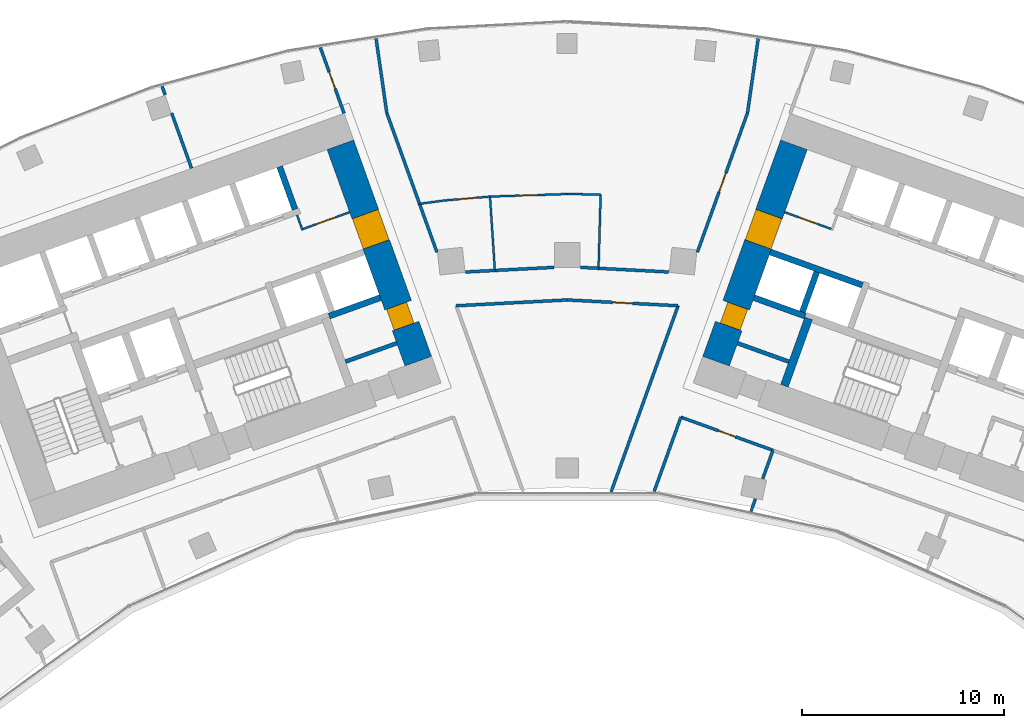
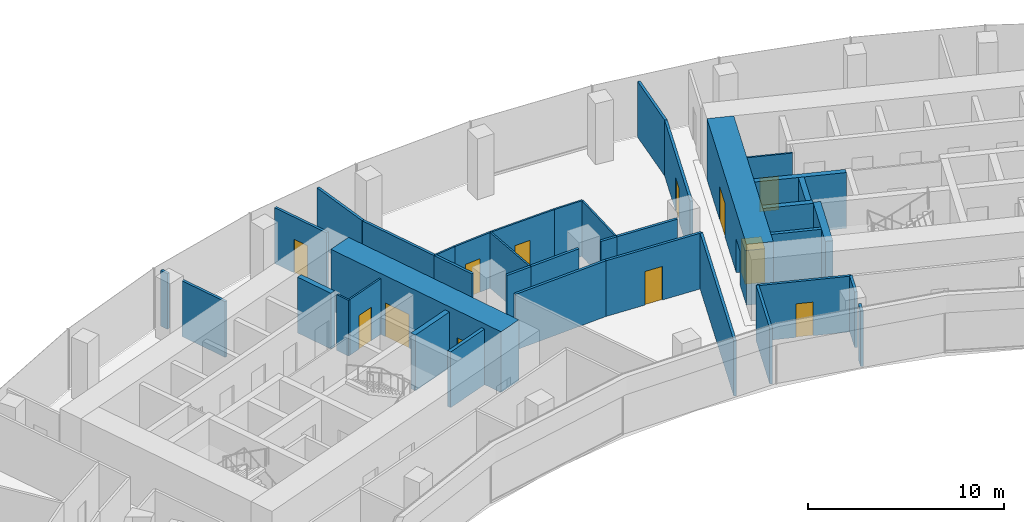
# One storey, part 15 of 20: 38 walls, 12 doors, 12 openings.
"""IFC4 building model written with IfcOpenShell, lengths in metres."""

from ifc_helpers import new_model, si_unit, direction, frame, frame_2d, origin, place, context, subcontext, project, spatial, rectangle, extrude, material, layer, layer_set, type_object, element, fill, save


model = new_model("IFC4")

# Units and contexts
model_context = context("Model", 3, precision=1e-05, world=origin(), true_north=direction((0.0, 1.0)))
body_context = subcontext(model_context, "Body", "Model", "MODEL_VIEW")
ifc_project = project(units=[si_unit("LENGTHUNIT", "METRE"), si_unit("AREAUNIT", "SQUARE_METRE"), si_unit("VOLUMEUNIT", "CUBIC_METRE"), si_unit("PLANEANGLEUNIT", "RADIAN"), si_unit("MASSUNIT", "GRAM", prefix="KILO")], contexts=[model_context])

# Site, building, storey
site_placement = place(None, origin())
site = spatial("IfcSite", under=ifc_project, at=site_placement, CompositionType="ELEMENT")
building_placement = place(site_placement, origin())
building = spatial("IfcBuilding", under=site, at=building_placement, Name="Stone Belt Terrace Tower", CompositionType="ELEMENT")
storey_placement = place(building_placement, frame((0.0, 0.0, 174.39990234375)))
storey = spatial("IfcBuildingStorey", under=building, at=storey_placement, Name="L42", CompositionType="ELEMENT", Elevation=174.39990234375)

# Wall
ifc_material_1 = material(Name="Plasterboard partition")
ifc_layer_1 = layer(ifc_material_1, 0.10009765625)
ifc_layer_set_1 = layer_set([ifc_layer_1], Name="Core partition 100")
wall_type_1 = type_object("IfcWallType", Name="Core partition 100", PredefinedType="PARTITIONING", material=ifc_layer_set_1)
wall_1_placement = place(storey_placement, frame((-13.115966796875, 56.230712890625, 0.0), z_axis=(0.0, 0.0, 1.0), x_axis=(-0.338481684961, 0.940972979923, 0.0)))
element("IfcWall", 1, at=wall_1_placement, inside=storey, type_object=wall_type_1, Name="Core A wall", PredefinedType="PARTITIONING", context=body_context, shape_type="SweptSolid", body=[
    extrude(rectangle(XDim=0.7998046875, YDim=0.10009765625, at=frame_2d((0.39990234375, 0.0))), origin(), (0.0, 0.0, 1.0), 3.47998046875),
])

# Wall, opening, door
wall_2_placement = place(storey_placement, frame((-13.085693359375, 56.294677734375, 0.0), z_axis=(0.0, 0.0, 1.0), x_axis=(0.940922976849, 0.338620660383, 0.0)))
wall_2 = element("IfcWall", 2, at=wall_2_placement, inside=storey, type_object=wall_type_1, Name="Core A wall", PredefinedType="PARTITIONING", context=body_context, shape_type="SweptSolid", body=[
    extrude(rectangle(XDim=2.449951171875, YDim=0.10009765625, at=frame_2d((1.22509765625, 0.0))), origin(), (0.0, 0.0, 1.0), 3.47998046875),
])
opening_1_placement = place(wall_2_placement, frame((0.699951171875, 0.0, 0.0)))
opening_1 = element("IfcOpeningElement", 3, at=opening_1_placement, cuts=wall_2, Name="Opening L42-C01", PredefinedType="OPENING", context=body_context, shape_type="SweptSolid", body=[
    extrude(rectangle(XDim=1.0, YDim=2.10009765625, at=frame_2d((0.5, 1.050048828125))), frame((0.0, 0.06005859375, 0.0), z_axis=(0.0, -1.0, 0.0), x_axis=(1.0, 0.0, 0.0)), (0.0, 0.0, 1.0), 0.1201171875),
])
ifc_material_2 = material(Name="Timber door leaf", Category="wood")
door_type_1 = type_object("IfcDoorType", Name="Core room door 1000", OperationType="SINGLE_SWING_LEFT", PredefinedType="DOOR", material=ifc_material_2)
door_1_placement = place(opening_1_placement, origin())
door_1 = element("IfcDoor", 4, at=door_1_placement, inside=storey, type_object=door_type_1, Name="Door to Meeting store core A", OperationType="SINGLE_SWING_LEFT", OverallHeight=2.10009765625, OverallWidth=1.0, PredefinedType="DOOR", context=body_context, shape_type="SweptSolid", body=[
    extrude(rectangle(XDim=1.0, YDim=2.10009765625, at=frame_2d((0.5, 1.050048828125))), frame((0.0, 0.02490234375, 0.0), z_axis=(0.0, -1.0, 0.0), x_axis=(1.0, 0.0, 0.0)), (0.0, 0.0, 1.0), 0.050048828125),
])
fill(opening_1, door_1)

wall_3_placement = place(storey_placement, frame((13.085693359375, 56.294677734375, 0.0), z_axis=(0.0, 0.0, 1.0), x_axis=(-0.940922976849, 0.338620660383, 0.0)))
wall_3 = element("IfcWall", 5, at=wall_3_placement, inside=storey, type_object=wall_type_1, Name="Core B wall", PredefinedType="PARTITIONING", context=body_context, shape_type="SweptSolid", body=[
    extrude(rectangle(XDim=2.449951171875, YDim=0.10009765625, at=frame_2d((1.22509765625, 0.0))), origin(), (0.0, 0.0, 1.0), 3.47998046875),
])
opening_2_placement = place(wall_3_placement, frame((0.699951171875, 0.0, 0.0)))
opening_2 = element("IfcOpeningElement", 6, at=opening_2_placement, cuts=wall_3, Name="Opening L42-C12", PredefinedType="OPENING", context=body_context, shape_type="SweptSolid", body=[
    extrude(rectangle(XDim=1.0, YDim=2.10009765625, at=frame_2d((0.5, 1.050048828125))), frame((0.0, 0.06005859375, 0.0), z_axis=(0.0, -1.0, 0.0), x_axis=(1.0, 0.0, 0.0)), (0.0, 0.0, 1.0), 0.1201171875),
])
door_2_placement = place(opening_2_placement, origin())
door_2 = element("IfcDoor", 7, at=door_2_placement, inside=storey, type_object=door_type_1, Name="Door to Meeting store core B", OperationType="SINGLE_SWING_RIGHT", OverallHeight=2.10009765625, OverallWidth=1.0, PredefinedType="DOOR", context=body_context, shape_type="SweptSolid", body=[
    extrude(rectangle(XDim=1.0, YDim=2.10009765625, at=frame_2d((0.5, 1.050048828125))), frame((0.0, 0.02490234375, 0.0), z_axis=(0.0, -1.0, 0.0), x_axis=(1.0, 0.0, 0.0)), (0.0, 0.0, 1.0), 0.050048828125),
])
fill(opening_2, door_2)

# Wall, openings, doors
ifc_material_3 = material(Name="Concrete B80", Category="concrete")
ifc_layer_2 = layer(ifc_material_3, 1.39990234375)
ifc_layer_set_2 = layer_set([ifc_layer_2], Name="Core wall 1400 B80")
wall_type_2 = type_object("IfcWallType", Name="Core wall 1400 B80", PredefinedType="SHEAR", material=ifc_layer_set_2)
wall_4_placement = place(storey_placement, frame((-7.379150390625, 49.73974609375, 0.0), z_axis=(0.0, 0.0, 1.0), x_axis=(-0.338625431531, 0.940921259788, 0.0)))
wall_4 = element("IfcWall", 8, at=wall_4_placement, inside=storey, type_object=wall_type_2, Name="Core A wall end_b L42", PredefinedType="SHEAR", context=body_context, shape_type="SweptSolid", body=[
    extrude(rectangle(XDim=11.400146484375, YDim=1.39990234375, at=frame_2d((5.7001953125, 0.0))), origin(), (0.0, 0.0, 1.0), 3.800048828125),
])
opening_3_placement = place(wall_4_placement, frame((6.14990234375, 0.0, 0.0)))
opening_3 = element("IfcOpeningElement", 9, at=opening_3_placement, cuts=wall_4, Name="Opening L42-C04", PredefinedType="OPENING", context=body_context, shape_type="SweptSolid", body=[
    extrude(rectangle(XDim=1.60009765625, YDim=2.10009765625, at=frame_2d((0.800048828125, 1.050048828125))), frame((0.0, 0.7099609375, 0.0), z_axis=(0.0, -1.0, 0.0), x_axis=(1.0, 0.0, 0.0)), (0.0, 0.0, 1.0), 1.419921875),
])
opening_4_placement = place(wall_4_placement, frame((1.85009765625, 0.0, 0.0)))
opening_4 = element("IfcOpeningElement", 10, at=opening_4_placement, cuts=wall_4, Name="Opening L42-C10", PredefinedType="OPENING", context=body_context, shape_type="SweptSolid", body=[
    extrude(rectangle(XDim=1.10009765625, YDim=2.10009765625, at=frame_2d((0.550048828125, 1.050048828125))), frame((0.0, 0.7099609375, 0.0), z_axis=(0.0, -1.0, 0.0), x_axis=(1.0, 0.0, 0.0)), (0.0, 0.0, 1.0), 1.419921875),
])
door_type_2 = type_object("IfcDoorType", Name="Core room door 1100", OperationType="SINGLE_SWING_LEFT", PredefinedType="DOOR", material=ifc_material_2)
door_3_placement = place(opening_4_placement, origin())
door_3 = element("IfcDoor", 11, at=door_3_placement, inside=storey, type_object=door_type_2, Name="Door to Accessible WC core A", OperationType="SINGLE_SWING_RIGHT", OverallHeight=2.10009765625, OverallWidth=1.10009765625, PredefinedType="DOOR", context=body_context, shape_type="SweptSolid", body=[
    extrude(rectangle(XDim=1.10009765625, YDim=2.10009765625, at=frame_2d((0.550048828125, 1.050048828125))), frame((0.0, 0.60498046875, 0.0), z_axis=(0.0, -1.0, 0.0), x_axis=(1.0, 0.0, 0.0)), (0.0, 0.0, 1.0), 1.050048828125),
])
fill(opening_4, door_3)
ifc_material_4 = material(Name="Glazed aluminium door leaf", Category="aluminium")
door_type_3 = type_object("IfcDoorType", Name="Lift lobby entrance door 1600", OperationType="DOUBLE_DOOR_SINGLE_SWING", PredefinedType="DOOR", material=ifc_material_4)
door_4_placement = place(opening_3_placement, origin())
door_4 = element("IfcDoor", 12, at=door_4_placement, inside=storey, type_object=door_type_3, Name="Lift lobby entrance door core A", OperationType="DOUBLE_DOOR_SINGLE_SWING", OverallHeight=2.10009765625, OverallWidth=1.60009765625, PredefinedType="DOOR", context=body_context, shape_type="SweptSolid", body=[
    extrude(rectangle(XDim=1.60009765625, YDim=2.10009765625, at=frame_2d((0.800048828125, 1.050048828125))), frame((0.0, 0.68017578125, 0.0), z_axis=(0.0, -1.0, 0.0), x_axis=(1.0, 0.0, 0.0)), (0.0, 0.0, 1.0), 1.360107421875),
])
fill(opening_3, door_4)

wall_5_placement = place(storey_placement, frame((7.379150390625, 49.73974609375, 0.0), z_axis=(0.0, 0.0, 1.0), x_axis=(0.338625431531, 0.940921259788, 0.0)))
wall_5 = element("IfcWall", 13, at=wall_5_placement, inside=storey, type_object=wall_type_2, Name="Core B wall end_a L42", PredefinedType="SHEAR", context=body_context, shape_type="SweptSolid", body=[
    extrude(rectangle(XDim=11.400146484375, YDim=1.39990234375, at=frame_2d((5.7001953125, 0.0))), origin(), (0.0, 0.0, 1.0), 3.800048828125),
])
opening_5_placement = place(wall_5_placement, frame((6.14990234375, 0.0, 0.0)))
opening_5 = element("IfcOpeningElement", 14, at=opening_5_placement, cuts=wall_5, Name="Opening L42-C15", PredefinedType="OPENING", context=body_context, shape_type="SweptSolid", body=[
    extrude(rectangle(XDim=1.60009765625, YDim=2.10009765625, at=frame_2d((0.800048828125, 1.050048828125))), frame((0.0, 0.7099609375, 0.0), z_axis=(0.0, -1.0, 0.0), x_axis=(1.0, 0.0, 0.0)), (0.0, 0.0, 1.0), 1.419921875),
])
opening_6_placement = place(wall_5_placement, frame((1.85009765625, 0.0, 0.0)))
opening_6 = element("IfcOpeningElement", 15, at=opening_6_placement, cuts=wall_5, Name="Opening L42-C21", PredefinedType="OPENING", context=body_context, shape_type="SweptSolid", body=[
    extrude(rectangle(XDim=1.10009765625, YDim=2.10009765625, at=frame_2d((0.550048828125, 1.050048828125))), frame((0.0, 0.7099609375, 0.0), z_axis=(0.0, -1.0, 0.0), x_axis=(1.0, 0.0, 0.0)), (0.0, 0.0, 1.0), 1.419921875),
])
door_5_placement = place(opening_6_placement, origin())
door_5 = element("IfcDoor", 16, at=door_5_placement, inside=storey, type_object=door_type_2, Name="Door to Accessible WC core B", OperationType="SINGLE_SWING_LEFT", OverallHeight=2.10009765625, OverallWidth=1.10009765625, PredefinedType="DOOR", context=body_context, shape_type="SweptSolid", body=[
    extrude(rectangle(XDim=1.10009765625, YDim=2.10009765625, at=frame_2d((0.550048828125, 1.050048828125))), frame((0.0, 0.44482421875, 0.0), z_axis=(0.0, -1.0, 0.0), x_axis=(1.0, 0.0, 0.0)), (0.0, 0.0, 1.0), 1.050048828125),
])
fill(opening_6, door_5)
door_6_placement = place(opening_5_placement, origin())
door_6 = element("IfcDoor", 17, at=door_6_placement, inside=storey, type_object=door_type_3, Name="Lift lobby entrance door core B", OperationType="DOUBLE_DOOR_SINGLE_SWING", OverallHeight=2.10009765625, OverallWidth=1.60009765625, PredefinedType="DOOR", context=body_context, shape_type="SweptSolid", body=[
    extrude(rectangle(XDim=1.60009765625, YDim=2.10009765625, at=frame_2d((0.800048828125, 1.050048828125))), frame((0.0, 0.68017578125, 0.0), z_axis=(0.0, -1.0, 0.0), x_axis=(1.0, 0.0, 0.0)), (0.0, 0.0, 1.0), 1.360107421875),
])
fill(opening_5, door_6)

# Walls
ifc_layer_3 = layer(ifc_material_3, 0.300048828125)
ifc_layer_set_3 = layer_set([ifc_layer_3], Name="Lift shaft wall 300")
wall_type_3 = type_object("IfcWallType", Name="Lift shaft wall 300", PredefinedType="SHEAR", material=ifc_layer_set_3)
wall_6_placement = place(storey_placement, frame((-11.797119140625, 51.975830078125, 0.0), z_axis=(0.0, 0.0, 1.0), x_axis=(0.940910465161, 0.33865542451, 0.0)))
element("IfcWall", 18, at=wall_6_placement, inside=storey, type_object=wall_type_3, Name="Core A wall", PredefinedType="SHEAR", context=body_context, shape_type="SweptSolid", body=[
    extrude(rectangle(XDim=2.69970703125, YDim=0.300048828125, at=frame_2d((1.349853515625, 0.0))), origin(), (0.0, 0.0, 1.0), 3.47998046875),
])
wall_7_placement = place(storey_placement, frame((-13.48828125, 57.265625, 0.0), z_axis=(0.0, 0.0, 1.0), x_axis=(-0.338631098537, 0.940919220286, 0.0)))
element("IfcWall", 19, at=wall_7_placement, inside=storey, type_object=wall_type_3, Name="Core A wall", PredefinedType="SHEAR", context=body_context, shape_type="SweptSolid", body=[
    extrude(rectangle(XDim=2.250244140625, YDim=0.300048828125, at=frame_2d((1.125, 0.0))), origin(), (0.0, 0.0, 1.0), 3.47998046875),
])
wall_8_placement = place(storey_placement, frame((14.6328125, 53.506103515625, 0.0), z_axis=(0.0, 0.0, 1.0), x_axis=(-0.940931684323, 0.338596464007, 0.0)))
element("IfcWall", 20, at=wall_8_placement, inside=storey, type_object=wall_type_3, Name="Core B wall", PredefinedType="SHEAR", context=body_context, shape_type="SweptSolid", body=[
    extrude(rectangle(XDim=4.849609375, YDim=0.300048828125, at=frame_2d((2.4248046875, 0.0))), origin(), (0.0, 0.0, 1.0), 3.47998046875),
])
wall_9_placement = place(storey_placement, frame((11.797119140625, 51.975830078125, 0.0), z_axis=(0.0, 0.0, 1.0), x_axis=(-0.940910465161, 0.33865542451, 0.0)))
element("IfcWall", 21, at=wall_9_placement, inside=storey, type_object=wall_type_3, Name="Core B wall", PredefinedType="SHEAR", context=body_context, shape_type="SweptSolid", body=[
    extrude(rectangle(XDim=2.69970703125, YDim=0.300048828125, at=frame_2d((1.349853515625, 0.0))), origin(), (0.0, 0.0, 1.0), 3.47998046875),
])
wall_10_placement = place(storey_placement, frame((11.659912109375, 52.184814453125, 0.0), z_axis=(0.0, 0.0, 1.0), x_axis=(0.338670064856, 0.940905195634, 0.0)))
element("IfcWall", 22, at=wall_10_placement, inside=storey, type_object=wall_type_3, Name="Core B wall", PredefinedType="SHEAR", context=body_context, shape_type="SweptSolid", body=[
    extrude(rectangle(XDim=2.099853515625, YDim=0.300048828125, at=frame_2d((1.0498046875, 0.0))), origin(), (0.0, 0.0, 1.0), 3.47998046875),
])

# Wall, opening, door
ifc_material_5 = material(Name="Gypsum board partition")
ifc_layer_4 = layer(ifc_material_5, 0.10009765625)
ifc_layer_set_4 = layer_set([ifc_layer_4], Name="PARTITION 100")
wall_type_4 = type_object("IfcWallType", Name="PARTITION 100", PredefinedType="PARTITIONING", material=ifc_layer_set_4)
wall_11_placement = place(storey_placement, frame((-3.823974609375, 57.89892578125, 0.0), z_axis=(0.0, 0.0, 1.0), x_axis=(-0.996353770626, -0.085318015439, 0.0)))
wall_11 = element("IfcWall", 23, at=wall_11_placement, inside=storey, type_object=wall_type_4, Name="L42/wall/i076", PredefinedType="PARTITIONING", context=body_context, shape_type="SweptSolid", body=[
    extrude(rectangle(XDim=2.249267578125, YDim=0.10009765625, at=frame_2d((1.12451171875, 0.0))), origin(), (0.0, 0.0, 1.0), 3.47998046875),
])
opening_7_placement = place(wall_11_placement, frame((0.674560546875, 0.0, 0.0)))
opening_7 = element("IfcOpeningElement", 24, at=opening_7_placement, cuts=wall_11, Name="Opening D-C3-25", PredefinedType="OPENING", context=body_context, shape_type="SweptSolid", body=[
    extrude(rectangle(XDim=0.89990234375, YDim=2.10009765625, at=frame_2d((0.449951171875, 1.050048828125))), frame((0.0, 0.06005859375, 0.0), z_axis=(0.0, -1.0, 0.0), x_axis=(1.0, 0.0, 0.0)), (0.0, 0.0, 1.0), 0.1201171875),
])
door_type_4 = type_object("IfcDoorType", Name="OFFICE DOOR 900 X 2100", OperationType="NOTDEFINED", PredefinedType="DOOR", material=ifc_material_2)
door_7_placement = place(opening_7_placement, origin())
door_7 = element("IfcDoor", 25, at=door_7_placement, inside=storey, type_object=door_type_4, Name="L42/door/i25", OperationType="SINGLE_SWING_RIGHT", OverallHeight=2.10009765625, OverallWidth=0.89990234375, PredefinedType="DOOR", context=body_context, shape_type="SweptSolid", body=[
    extrude(rectangle(XDim=0.89990234375, YDim=2.10009765625, at=frame_2d((0.449951171875, 1.050048828125))), frame((0.0, 0.02490234375, 0.0), z_axis=(0.0, -1.0, 0.0), x_axis=(1.0, 0.0, 0.0)), (0.0, 0.0, 1.0), 0.050048828125),
])
fill(opening_7, door_7)

# Walls
wall_12_placement = place(storey_placement, frame((-6.06494140625, 57.70703125, 0.0), z_axis=(0.0, 0.0, 1.0), x_axis=(-0.991238017123, -0.132087824608, 0.0)))
element("IfcWall", 26, at=wall_12_placement, inside=storey, type_object=wall_type_4, Name="L42/wall/i077", PredefinedType="PARTITIONING", context=body_context, shape_type="SweptSolid", body=[
    extrude(rectangle(XDim=1.26416015625, YDim=0.10009765625, at=frame_2d((0.632080078125, 0.0))), origin(), (0.0, 0.0, 1.0), 3.47998046875),
])
wall_13_placement = place(storey_placement, frame((1.555908203125, 54.343994140625, 0.0), z_axis=(0.0, 0.0, 1.0), x_axis=(0.028428321324, 0.999595833598, 0.0)))
element("IfcWall", 27, at=wall_13_placement, inside=storey, type_object=wall_type_4, Name="L42/wall/i078", PredefinedType="PARTITIONING", context=body_context, shape_type="SweptSolid", body=[
    extrude(rectangle(XDim=3.658447265625, YDim=0.10009765625, at=frame_2d((1.8291015625, 0.0))), origin(), (0.0, 0.0, 1.0), 3.47998046875),
])
wall_14_placement = place(storey_placement, frame((1.659912109375, 58.0009765625, 0.0), z_axis=(0.0, 0.0, 1.0), x_axis=(-0.999896136152, 0.014412387313, 0.0)))
element("IfcWall", 28, at=wall_14_placement, inside=storey, type_object=wall_type_4, Name="L42/wall/i079", PredefinedType="PARTITIONING", context=body_context, shape_type="SweptSolid", body=[
    extrude(rectangle(XDim=1.66015625, YDim=0.10009765625, at=frame_2d((0.830078125, 0.0))), origin(), (0.0, 0.0, 1.0), 3.47998046875),
])

# Wall, opening, door
wall_15_placement = place(storey_placement, frame((0.0, 58.02490234375, 0.0), z_axis=(0.0, 0.0, 1.0), x_axis=(-0.999457791673, -0.032926018036, 0.0)))
wall_15 = element("IfcWall", 29, at=wall_15_placement, inside=storey, type_object=wall_type_4, Name="L42/wall/i080", PredefinedType="PARTITIONING", context=body_context, shape_type="SweptSolid", body=[
    extrude(rectangle(XDim=3.825927734375, YDim=0.10009765625, at=frame_2d((1.9130859375, 0.0))), origin(), (0.0, 0.0, 1.0), 3.47998046875),
])
opening_8_placement = place(wall_15_placement, frame((1.463134765625, 0.0, 0.0)))
opening_8 = element("IfcOpeningElement", 30, at=opening_8_placement, cuts=wall_15, Name="Opening D-C3-26", PredefinedType="OPENING", context=body_context, shape_type="SweptSolid", body=[
    extrude(rectangle(XDim=0.89990234375, YDim=2.10009765625, at=frame_2d((0.449951171875, 1.050048828125))), frame((0.0, 0.06005859375, 0.0), z_axis=(0.0, -1.0, 0.0), x_axis=(1.0, 0.0, 0.0)), (0.0, 0.0, 1.0), 0.1201171875),
])
door_8_placement = place(opening_8_placement, origin())
door_8 = element("IfcDoor", 31, at=door_8_placement, inside=storey, type_object=door_type_4, Name="L42/door/i26", OperationType="SINGLE_SWING_RIGHT", OverallHeight=2.10009765625, OverallWidth=0.89990234375, PredefinedType="DOOR", context=body_context, shape_type="SweptSolid", body=[
    extrude(rectangle(XDim=0.89990234375, YDim=2.10009765625, at=frame_2d((0.449951171875, 1.050048828125))), frame((0.0, 0.02490234375, 0.0), z_axis=(0.0, -1.0, 0.0), x_axis=(1.0, 0.0, 0.0)), (0.0, 0.0, 1.0), 0.050048828125),
])
fill(opening_8, door_8)

# Wall
wall_16_placement = place(storey_placement, frame((-3.823974609375, 57.89892578125, 0.0), z_axis=(0.0, 0.0, 1.0), x_axis=(0.065927328972, -0.997824427089, 0.0)))
element("IfcWall", 32, at=wall_16_placement, inside=storey, type_object=wall_type_4, Name="L42/wall/i081", PredefinedType="PARTITIONING", context=body_context, shape_type="SweptSolid", body=[
    extrude(rectangle(XDim=3.669921875, YDim=0.10009765625, at=frame_2d((1.8349609375, 0.0))), origin(), (0.0, 0.0, 1.0), 3.47998046875),
])

# Wall, opening, door
ifc_layer_5 = layer(ifc_material_5, 0.14990234375)
ifc_layer_set_5 = layer_set([ifc_layer_5], Name="PARTITION 150 EI 60")
wall_type_5 = type_object("IfcWallType", Name="PARTITION 150 EI 60", PredefinedType="PARTITIONING", material=ifc_layer_set_5)
wall_17_placement = place(storey_placement, frame((-11.054931640625, 62.02099609375, 0.0), z_axis=(0.0, 0.0, 1.0), x_axis=(-0.338942963923, 0.940806923448, 0.0)))
wall_17 = element("IfcWall", 33, at=wall_17_placement, inside=storey, type_object=wall_type_5, Name="L42/wall/i009", PredefinedType="PARTITIONING", context=body_context, shape_type="SweptSolid", body=[
    extrude(rectangle(XDim=3.481201171875, YDim=0.14990234375, at=frame_2d((1.74072265625, 0.0))), origin(), (0.0, 0.0, 1.0), 3.47998046875),
])
opening_9_placement = place(wall_17_placement, frame((1.29052734375, 0.0, 0.0)))
opening_9 = element("IfcOpeningElement", 34, at=opening_9_placement, cuts=wall_17, Name="Opening D-C3-05", PredefinedType="OPENING", context=body_context, shape_type="SweptSolid", body=[
    extrude(rectangle(XDim=0.89990234375, YDim=2.10009765625, at=frame_2d((0.449951171875, 1.050048828125))), frame((0.0, 0.0849609375, 0.0), z_axis=(0.0, -1.0, 0.0), x_axis=(1.0, 0.0, 0.0)), (0.0, 0.0, 1.0), 0.169921875),
])
door_9_placement = place(opening_9_placement, origin())
door_9 = element("IfcDoor", 35, at=door_9_placement, inside=storey, type_object=door_type_4, Name="L42/door/i05", OperationType="SINGLE_SWING_RIGHT", OverallHeight=2.10009765625, OverallWidth=0.89990234375, PredefinedType="DOOR", context=body_context, shape_type="SweptSolid", body=[
    extrude(rectangle(XDim=0.89990234375, YDim=2.10009765625, at=frame_2d((0.449951171875, 1.050048828125))), frame((0.0, 0.02490234375, 0.0), z_axis=(0.0, -1.0, 0.0), x_axis=(1.0, 0.0, 0.0)), (0.0, 0.0, 1.0), 0.050048828125),
])
fill(opening_9, door_9)

# Walls
wall_18_placement = place(storey_placement, frame((-9.47021484375, 65.736083984375, 0.0), z_axis=(0.0, 0.0, 1.0), x_axis=(0.14267653425, -0.989769370396, 0.0)))
element("IfcWall", 36, at=wall_18_placement, inside=storey, type_object=wall_type_5, Name="L42/wall/i011", PredefinedType="PARTITIONING", context=body_context, shape_type="SweptSolid", body=[
    extrude(rectangle(XDim=3.730224609375, YDim=0.14990234375, at=frame_2d((1.865234375, 0.0))), origin(), (0.0, 0.0, 1.0), 3.47998046875),
])
wall_19_placement = place(storey_placement, frame((-8.93798828125, 62.04296875, 0.0), z_axis=(0.0, 0.0, 1.0), x_axis=(0.338681584055, -0.940901049326, 0.0)))
element("IfcWall", 37, at=wall_19_placement, inside=storey, type_object=wall_type_5, Name="L42/wall/i012", PredefinedType="PARTITIONING", context=body_context, shape_type="SweptSolid", body=[
    extrude(rectangle(XDim=4.792236328125, YDim=0.14990234375, at=frame_2d((2.39599609375, 0.0))), origin(), (0.0, 0.0, 1.0), 3.47998046875),
])
wall_20_placement = place(storey_placement, frame((-7.319091796875, 57.5458984375, 0.0), z_axis=(0.0, 0.0, 1.0), x_axis=(0.338411575899, -0.940998196224, 0.0)))
element("IfcWall", 38, at=wall_20_placement, inside=storey, type_object=wall_type_5, Name="L42/wall/i013", PredefinedType="PARTITIONING", context=body_context, shape_type="SweptSolid", body=[
    extrude(rectangle(XDim=2.555419921875, YDim=0.14990234375, at=frame_2d((1.27783203125, 0.0))), origin(), (0.0, 0.0, 1.0), 3.47998046875),
])
wall_21_placement = place(storey_placement, frame((-20.079833984375, 63.37109375, 0.0), z_axis=(0.0, 0.0, 1.0), x_axis=(0.338472917715, -0.940976133583, 0.0)))
element("IfcWall", 39, at=wall_21_placement, inside=storey, type_object=wall_type_5, Name="L42/wall/i019", PredefinedType="PARTITIONING", context=body_context, shape_type="SweptSolid", body=[
    extrude(rectangle(XDim=0.455810546875, YDim=0.14990234375, at=frame_2d((0.22802734375, 0.0))), origin(), (0.0, 0.0, 1.0), 3.47998046875),
])
wall_22_placement = place(storey_placement, frame((-19.599609375, 62.036376953125, 0.0), z_axis=(0.0, 0.0, 1.0), x_axis=(0.338579742178, -0.940937701544, 0.0)))
element("IfcWall", 40, at=wall_22_placement, inside=storey, type_object=wall_type_5, Name="L42/wall/i020", PredefinedType="PARTITIONING", context=body_context, shape_type="SweptSolid", body=[
    extrude(rectangle(XDim=2.908203125, YDim=0.14990234375, at=frame_2d((1.4541015625, 0.0))), origin(), (0.0, 0.0, 1.0), 3.47998046875),
])
wall_23_placement = place(storey_placement, frame((5.638916015625, 46.971923828125, 0.0), z_axis=(0.0, 0.0, 1.0), x_axis=(-0.338569683937, -0.940941320763, 0.0)))
element("IfcWall", 41, at=wall_23_placement, inside=storey, type_object=wall_type_5, Name="L42/wall/i021", PredefinedType="PARTITIONING", context=body_context, shape_type="SweptSolid", body=[
    extrude(rectangle(XDim=3.9248046875, YDim=0.14990234375, at=frame_2d((1.96240234375, 0.0))), origin(), (0.0, 0.0, 1.0), 3.47998046875),
])
wall_24_placement = place(storey_placement, frame((2.178466796875, 43.26171875, 0.0), z_axis=(0.0, 0.0, 1.0), x_axis=(0.338654259988, 0.940910884299, 0.0)))
element("IfcWall", 42, at=wall_24_placement, inside=storey, type_object=wall_type_5, Name="L42/wall/i023", PredefinedType="PARTITIONING", context=body_context, shape_type="SweptSolid", body=[
    extrude(rectangle(XDim=9.81103515625, YDim=0.14990234375, at=frame_2d((4.905517578125, 0.0))), origin(), (0.0, 0.0, 1.0), 3.47998046875),
])

# Wall, opening, door
wall_25_placement = place(storey_placement, frame((6.4541015625, 55.140625, 0.0), z_axis=(0.0, 0.0, 1.0), x_axis=(0.338603971116, 0.940928982838, 0.0)))
wall_25 = element("IfcWall", 43, at=wall_25_placement, inside=storey, type_object=wall_type_5, Name="L42/wall/i024", PredefinedType="PARTITIONING", context=body_context, shape_type="SweptSolid", body=[
    extrude(rectangle(XDim=7.335693359375, YDim=0.14990234375, at=frame_2d((3.66796875, 0.0))), origin(), (0.0, 0.0, 1.0), 3.47998046875),
])
opening_10_placement = place(wall_25_placement, frame((3.16796875, 0.0, 0.0)))
opening_10 = element("IfcOpeningElement", 44, at=opening_10_placement, cuts=wall_25, Name="Opening D-C3-24", PredefinedType="OPENING", context=body_context, shape_type="SweptSolid", body=[
    extrude(rectangle(XDim=1.0, YDim=2.10009765625, at=frame_2d((0.5, 1.050048828125))), frame((0.0, 0.0849609375, 0.0), z_axis=(0.0, -1.0, 0.0), x_axis=(1.0, 0.0, 0.0)), (0.0, 0.0, 1.0), 0.169921875),
])
ifc_material_6 = material(Name="Timber fire door leaf", Category="wood")
door_type_5 = type_object("IfcDoorType", Name="TENANCY ENTRANCE DOOR 1000 X 2100", OperationType="NOTDEFINED", PredefinedType="DOOR", material=ifc_material_6)
door_10_placement = place(opening_10_placement, origin())
door_10 = element("IfcDoor", 45, at=door_10_placement, inside=storey, type_object=door_type_5, Name="L42/door/i24", OperationType="SINGLE_SWING_RIGHT", OverallHeight=2.10009765625, OverallWidth=1.0, PredefinedType="DOOR", context=body_context, shape_type="SweptSolid", body=[
    extrude(rectangle(XDim=1.0, YDim=2.10009765625, at=frame_2d((0.5, 1.050048828125))), frame((0.0, 0.02490234375, 0.0), z_axis=(0.0, -1.0, 0.0), x_axis=(1.0, 0.0, 0.0)), (0.0, 0.0, 1.0), 0.050048828125),
])
fill(opening_10, door_10)

# Wall
wall_26_placement = place(storey_placement, frame((8.93798828125, 62.0439453125, 0.0), z_axis=(0.0, 0.0, 1.0), x_axis=(0.14267653425, 0.989769370396, 0.0)))
element("IfcWall", 46, at=wall_26_placement, inside=storey, type_object=wall_type_5, Name="L42/wall/i025", PredefinedType="PARTITIONING", context=body_context, shape_type="SweptSolid", body=[
    extrude(rectangle(XDim=3.730224609375, YDim=0.14990234375, at=frame_2d((1.865234375, 0.0))), origin(), (0.0, 0.0, 1.0), 3.47998046875),
])

# Wall, opening, door
wall_27_placement = place(storey_placement, frame((10.205078125, 45.322021484375, 0.0), z_axis=(0.0, 0.0, 1.0), x_axis=(-0.94091881935, 0.338632212575, 0.0)))
wall_27 = element("IfcWall", 47, at=wall_27_placement, inside=storey, type_object=wall_type_5, Name="L42/wall/i032", PredefinedType="PARTITIONING", context=body_context, shape_type="SweptSolid", body=[
    extrude(rectangle(XDim=4.85498046875, YDim=0.14990234375, at=frame_2d((2.427490234375, 0.0))), origin(), (0.0, 0.0, 1.0), 3.47998046875),
])
opening_11_placement = place(wall_27_placement, frame((1.977294921875, 0.0, 0.0)))
opening_11 = element("IfcOpeningElement", 48, at=opening_11_placement, cuts=wall_27, Name="Opening D-C3-06", PredefinedType="OPENING", context=body_context, shape_type="SweptSolid", body=[
    extrude(rectangle(XDim=0.89990234375, YDim=2.10009765625, at=frame_2d((0.449951171875, 1.050048828125))), frame((0.0, 0.0849609375, 0.0), z_axis=(0.0, -1.0, 0.0), x_axis=(1.0, 0.0, 0.0)), (0.0, 0.0, 1.0), 0.169921875),
])
door_11_placement = place(opening_11_placement, origin())
door_11 = element("IfcDoor", 49, at=door_11_placement, inside=storey, type_object=door_type_4, Name="L42/door/i06", OperationType="SINGLE_SWING_RIGHT", OverallHeight=2.10009765625, OverallWidth=0.89990234375, PredefinedType="DOOR", context=body_context, shape_type="SweptSolid", body=[
    extrude(rectangle(XDim=0.89990234375, YDim=2.10009765625, at=frame_2d((0.449951171875, 1.050048828125))), frame((0.0, 0.02490234375, 0.0), z_axis=(0.0, -1.0, 0.0), x_axis=(1.0, 0.0, 0.0)), (0.0, 0.0, 1.0), 0.050048828125),
])
fill(opening_11, door_11)

# Walls
wall_28_placement = place(storey_placement, frame((10.198974609375, 45.323974609375, 0.0), z_axis=(0.0, 0.0, 1.0), x_axis=(-0.338418266877, -0.940995789918, 0.0)))
element("IfcWall", 50, at=wall_28_placement, inside=storey, type_object=wall_type_5, Name="L42/wall/i035", PredefinedType="PARTITIONING", context=body_context, shape_type="SweptSolid", body=[
    extrude(rectangle(XDim=1.49267578125, YDim=0.14990234375, at=frame_2d((0.746337890625, 0.0))), origin(), (0.0, 0.0, 1.0), 3.47998046875),
])
wall_29_placement = place(storey_placement, frame((9.33154296875, 42.91259765625, 0.0), z_axis=(0.0, 0.0, 1.0), x_axis=(-0.338470305023, -0.940977073375, 0.0)))
element("IfcWall", 51, at=wall_29_placement, inside=storey, type_object=wall_type_5, Name="L42/wall/i036", PredefinedType="PARTITIONING", context=body_context, shape_type="SweptSolid", body=[
    extrude(rectangle(XDim=0.6591796875, YDim=0.14990234375, at=frame_2d((0.32958984375, 0.0))), origin(), (0.0, 0.0, 1.0), 3.47998046875),
])

# Wall, opening, door
wall_30_placement = place(storey_placement, frame((5.4990234375, 52.487060546875, 0.0), z_axis=(0.0, 0.0, 1.0), x_axis=(-0.998632852887, 0.052272604047, 0.0)))
wall_30 = element("IfcWall", 52, at=wall_30_placement, inside=storey, type_object=wall_type_5, Name="L42/wall/i070", PredefinedType="PARTITIONING", context=body_context, shape_type="SweptSolid", body=[
    extrude(rectangle(XDim=5.506591796875, YDim=0.14990234375, at=frame_2d((2.75341796875, 0.0))), origin(), (0.0, 0.0, 1.0), 3.47998046875),
])
opening_12_placement = place(wall_30_placement, frame((2.253173828125, 0.0, 0.0)))
opening_12 = element("IfcOpeningElement", 53, at=opening_12_placement, cuts=wall_30, Name="Opening D-C3-23", PredefinedType="OPENING", context=body_context, shape_type="SweptSolid", body=[
    extrude(rectangle(XDim=1.0, YDim=2.10009765625, at=frame_2d((0.5, 1.050048828125))), frame((0.0, 0.0849609375, 0.0), z_axis=(0.0, -1.0, 0.0), x_axis=(1.0, 0.0, 0.0)), (0.0, 0.0, 1.0), 0.169921875),
])
door_12_placement = place(opening_12_placement, origin())
door_12 = element("IfcDoor", 54, at=door_12_placement, inside=storey, type_object=door_type_5, Name="L42/door/i23", OperationType="SINGLE_SWING_RIGHT", OverallHeight=2.10009765625, OverallWidth=1.0, PredefinedType="DOOR", context=body_context, shape_type="SweptSolid", body=[
    extrude(rectangle(XDim=1.0, YDim=2.10009765625, at=frame_2d((0.5, 1.050048828125))), frame((0.0, 0.02490234375, 0.0), z_axis=(0.0, -1.0, 0.0), x_axis=(1.0, 0.0, 0.0)), (0.0, 0.0, 1.0), 0.050048828125),
])
fill(opening_12, door_12)

# Walls
wall_31_placement = place(storey_placement, frame((0.0, 52.77490234375, 0.0), z_axis=(0.0, 0.0, 1.0), x_axis=(-0.998632852887, -0.052272604047, 0.0)))
element("IfcWall", 55, at=wall_31_placement, inside=storey, type_object=wall_type_5, Name="L42/wall/i071", PredefinedType="PARTITIONING", context=body_context, shape_type="SweptSolid", body=[
    extrude(rectangle(XDim=5.506591796875, YDim=0.14990234375, at=frame_2d((2.75341796875, 0.0))), origin(), (0.0, 0.0, 1.0), 3.47998046875),
])
wall_32_placement = place(storey_placement, frame((1.550048828125, 54.343994140625, 0.0), z_axis=(0.0, 0.0, 1.0), x_axis=(0.998629019036, -0.052345795812, 0.0)))
element("IfcWall", 56, at=wall_32_placement, inside=storey, type_object=wall_type_5, Name="L42/wall/i072", PredefinedType="PARTITIONING", context=body_context, shape_type="SweptSolid", body=[
    extrude(rectangle(XDim=3.48876953125, YDim=0.14990234375, at=frame_2d((1.744384765625, 0.0))), origin(), (0.0, 0.0, 1.0), 3.47998046875),
])
wall_33_placement = place(storey_placement, frame((-5.033935546875, 54.161376953125, 0.0), z_axis=(0.0, 0.0, 1.0), x_axis=(0.998620599498, 0.052506173517, 0.0)))
element("IfcWall", 57, at=wall_33_placement, inside=storey, type_object=wall_type_5, Name="L42/wall/i073", PredefinedType="PARTITIONING", context=body_context, shape_type="SweptSolid", body=[
    extrude(rectangle(XDim=1.4599609375, YDim=0.14990234375, at=frame_2d((0.72998046875, 0.0))), origin(), (0.0, 0.0, 1.0), 3.47998046875),
])
wall_34_placement = place(storey_placement, frame((-3.587890625, 54.237060546875, 0.0), z_axis=(0.0, 0.0, 1.0), x_axis=(0.998632030304, 0.052288316579, 0.0)))
element("IfcWall", 58, at=wall_34_placement, inside=storey, type_object=wall_type_5, Name="L42/wall/i074", PredefinedType="PARTITIONING", context=body_context, shape_type="SweptSolid", body=[
    extrude(rectangle(XDim=2.936767578125, YDim=0.14990234375, at=frame_2d((1.46826171875, 0.0))), origin(), (0.0, 0.0, 1.0), 3.47998046875),
])
wall_35_placement = place(storey_placement, frame((0.655029296875, 54.390625, 0.0), z_axis=(0.0, 0.0, 1.0), x_axis=(0.998625245027, -0.052417745028, 0.0)))
element("IfcWall", 59, at=wall_35_placement, inside=storey, type_object=wall_type_5, Name="L42/wall/i075", PredefinedType="PARTITIONING", context=body_context, shape_type="SweptSolid", body=[
    extrude(rectangle(XDim=0.908203125, YDim=0.14990234375, at=frame_2d((0.4541015625, 0.0))), origin(), (0.0, 0.0, 1.0), 3.47998046875),
])
ifc_material_7 = material(Name="Concrete masonry block", Category="masonry")
ifc_layer_6 = layer(ifc_material_7, 0.199951171875)
ifc_layer_set_6 = layer_set([ifc_layer_6], Name="Rated lobby wall 200")
wall_type_6 = type_object("IfcWallType", Name="Rated lobby wall 200", PredefinedType="PARTITIONING", material=ifc_layer_set_6)
for number, where, z_axis, x_axis, name in (
    (60, (-10.984619140625, 49.717529296875, 0.0), (0.0, 0.0, 1.0), (0.940920834877, 0.338626612206, 0.0), "Core A wall"),
    (61, (10.984619140625, 49.717529296875, 0.0), (0.0, 0.0, 1.0), (-0.940920834877, 0.338626612206, 0.0), "Core B wall"),
):
    element("IfcWall", number, at=place(storey_placement, frame(where, z_axis=z_axis, x_axis=x_axis)), inside=storey, type_object=wall_type_6, Name=name, PredefinedType="PARTITIONING", context=body_context, shape_type="SweptSolid", body=[
        extrude(rectangle(XDim=2.699951171875, YDim=0.199951171875, at=frame_2d((1.35009765625, 0.0))), origin(), (0.0, 0.0, 1.0), 3.47998046875),
    ])
ifc_layer_7 = layer(ifc_material_3, 0.39990234375)
ifc_layer_set_7 = layer_set([ifc_layer_7], Name="Stair enclosure wall 400")
wall_type_7 = type_object("IfcWallType", Name="Stair enclosure wall 400", PredefinedType="SHEAR", material=ifc_layer_set_7)
wall_36_placement = place(storey_placement, frame((10.766357421875, 48.520751953125, 0.0), z_axis=(0.0, 0.0, 1.0), x_axis=(0.338626928157, 0.94092072117, 0.0)))
element("IfcWall", 62, at=wall_36_placement, inside=storey, type_object=wall_type_7, Name="Core B wall", PredefinedType="SHEAR", context=body_context, shape_type="SweptSolid", body=[
    extrude(rectangle(XDim=3.550048828125, YDim=0.39990234375, at=frame_2d((1.77490234375, 0.0))), origin(), (0.0, 0.0, 1.0), 3.47998046875),
])

save(model, "model.ifc")
